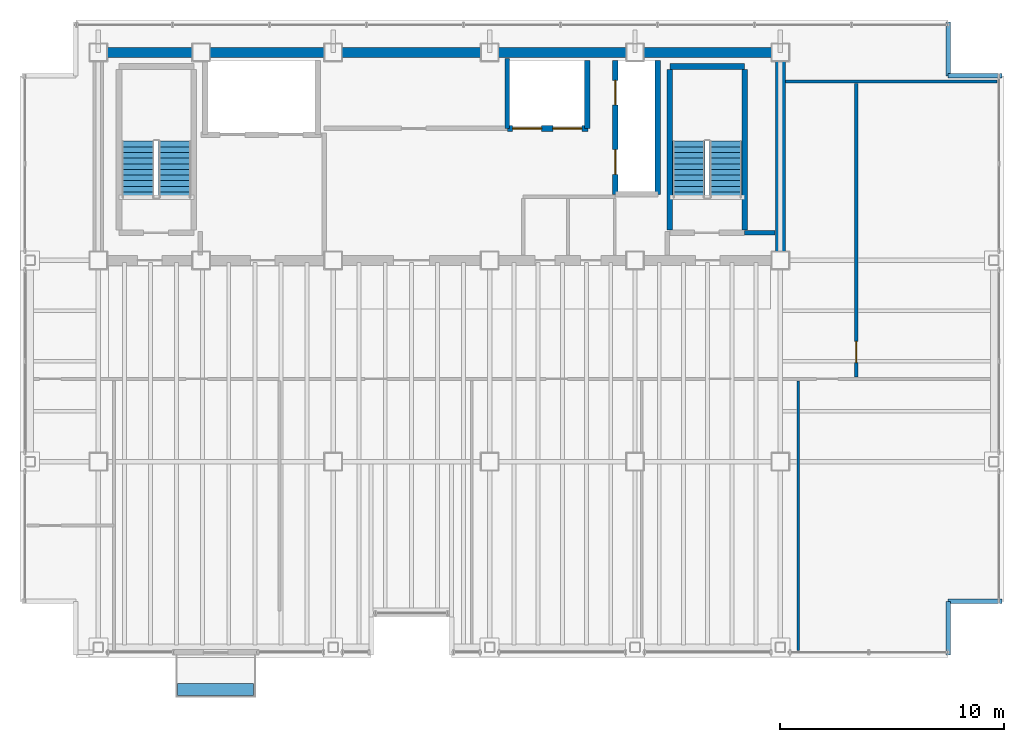
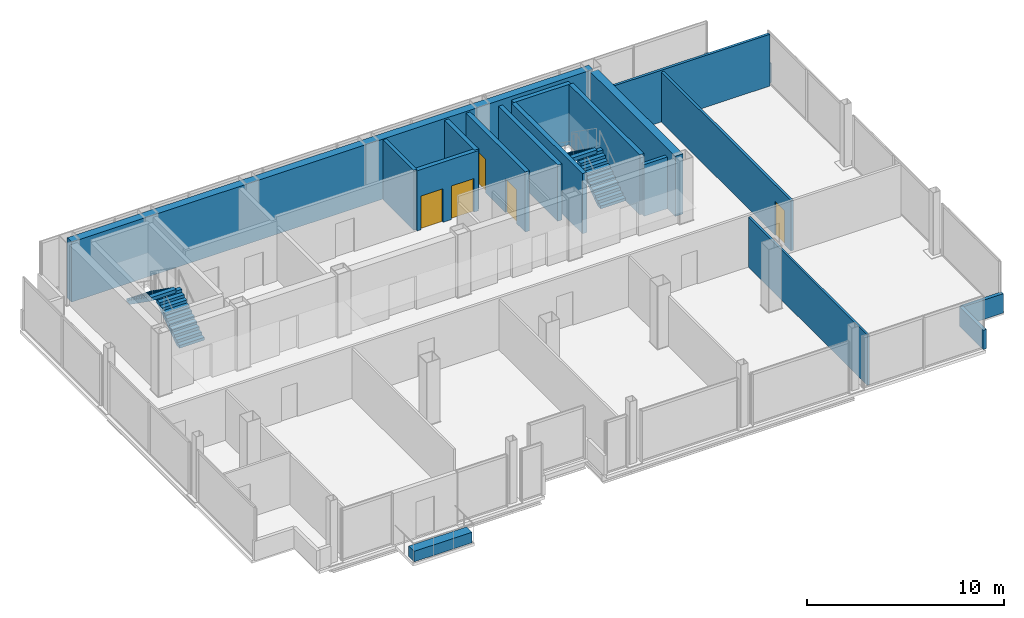
# One storey, part 14 of 15: 18 walls, 5 doors, 4 stair flights, 1 discrete accessory, 5 openings, 2 elements without a shape of their own.
"""IFC4 building model written with IfcOpenShell, lengths in metres."""

import ifcopenshell
import ifcopenshell.guid

model = None  # the IFC model being written
_history = None  # IfcOwnerHistory: only IFC2X3 demands one
_inside = {}  # id of a spatial element -> (the spatial element, [elements in it])
_under = {}  # id of a project, library or spatial element -> (it, [spatial elements below it])
_declared = {}  # id of a project -> (the project, [libraries it declares])
_typed = {}  # id of a type object -> (the type object, [elements of that type])
_made_of = {}  # id of a material, layer set ... -> (it, [elements and type objects made of it])


def new_model(schema):
    """Start an empty IFC model of exactly this schema.

    Asked for "IFC4X3", IfcOpenShell would pick the latest addendum, in which some entities
    have other attributes; the version numbers below select the first issue.
    IFC2X3 requires an IfcOwnerHistory on every rooted entity: one is made here for all.
    """
    global model, _history
    if schema == "IFC4X3":
        model = ifcopenshell.file(schema_version=(4, 3, 0, 0))
    else:
        model = ifcopenshell.file(schema=schema)
    _inside.clear()
    _under.clear()
    _declared.clear()
    _typed.clear()
    _made_of.clear()
    _history = None
    if model.schema == "IFC2X3":
        org = make("IfcOrganization", Name="unknown")
        user = make(
            "IfcPersonAndOrganization",
            ThePerson=make("IfcPerson", FamilyName="unknown"),
            TheOrganization=org,
        )
        app = make(
            "IfcApplication",
            ApplicationDeveloper=org,
            Version="unknown",
            ApplicationFullName="unknown",
            ApplicationIdentifier="unknown",
        )
        _history = make(
            "IfcOwnerHistory",
            OwningUser=user,
            OwningApplication=app,
            ChangeAction="ADDED",
            CreationDate=0,
        )
    return model


def make(cls, **values):
    """One entity of the class cls with the attributes given. An attribute that is None is left unset."""
    return model.create_entity(
        cls, **{name: value for name, value in values.items() if value is not None}
    )


def rooted(cls, **values):
    """An entity with a GlobalId (a new one), such as an element, a storey or a relation."""
    return make(cls, GlobalId=ifcopenshell.guid.new(), OwnerHistory=_history, **values)


def si_unit(unit_type, name, prefix=None):
    """IfcSIUnit, for example si_unit("LENGTHUNIT", "METRE", prefix="MILLI")."""
    return make("IfcSIUnit", UnitType=unit_type, Prefix=prefix, Name=name)


def assignment(units):
    """IfcUnitAssignment: the units of a project."""
    return None if units is None else make("IfcUnitAssignment", Units=units)


def point(xyz):
    """IfcCartesianPoint."""
    return None if xyz is None else make("IfcCartesianPoint", Coordinates=xyz)


def direction(xyz):
    """IfcDirection."""
    return None if xyz is None else make("IfcDirection", DirectionRatios=xyz)


def frame(location, z_axis=None, x_axis=None):
    """IfcAxis2Placement3D, a coordinate frame: its origin and axes. An axis left out is left unset."""
    return make(
        "IfcAxis2Placement3D",
        Location=point(location),
        Axis=direction(z_axis),
        RefDirection=direction(x_axis),
    )


def frame_2d(location, x_axis=None):
    """IfcAxis2Placement2D, a coordinate frame in the plane: its origin and x axis."""
    return make(
        "IfcAxis2Placement2D", Location=point(location), RefDirection=direction(x_axis)
    )


def origin():
    """The frame at (0, 0, 0) with its axes left unset."""
    return frame((0.0, 0.0, 0.0))


def origin_2d():
    """The frame at (0, 0) in the plane with its x axis left unset."""
    return frame_2d((0.0, 0.0))


def place(relative_to, where):
    """IfcLocalPlacement: puts the frame where relative to a parent placement (None: the world)."""
    return make(
        "IfcLocalPlacement", PlacementRelTo=relative_to, RelativePlacement=where
    )


def context(
    kind, dimensions, precision=None, world=None, true_north=None, identifier=None
):
    """IfcGeometricRepresentationContext, for example the 3D "Model" context."""
    return make(
        "IfcGeometricRepresentationContext",
        ContextIdentifier=identifier,
        ContextType=kind,
        CoordinateSpaceDimension=dimensions,
        Precision=precision,
        WorldCoordinateSystem=world,
        TrueNorth=true_north,
    )


def subcontext(parent, identifier, kind, view, scale=None):
    """IfcGeometricRepresentationSubContext, for example "Body" below "Model"."""
    return make(
        "IfcGeometricRepresentationSubContext",
        ContextIdentifier=identifier,
        ContextType=kind,
        ParentContext=parent,
        TargetScale=scale,
        TargetView=view,
    )


def project(units=None, contexts=None):
    """IfcProject with its units and contexts."""
    return rooted(
        "IfcProject",
        Name="project",
        RepresentationContexts=contexts,
        UnitsInContext=assignment(units),
    )


def spatial(cls, under=None, at=None, **own):
    """A site, building, storey or space (cls), placed at a placement, below another one or the project."""
    s = rooted(cls, ObjectPlacement=at, **own)
    if under is not None:
        _under.setdefault(under.id(), (under, []))[1].append(s)
    return s


def polyline(points):
    """IfcPolyline through the points."""
    return make("IfcPolyline", Points=[point(p) for p in points])


def profile(cls, at=None, kind="AREA", **sizes):
    """A parametric profile (cls). Its sizes go by their IFC names, for example OverallWidth=200.0."""
    return make(cls, ProfileType=kind, Position=at, **sizes)


def rectangle(**sizes):
    """IfcRectangleProfileDef."""
    return profile("IfcRectangleProfileDef", **sizes)


def outline(outer, holes=None, kind="AREA"):
    """IfcArbitraryClosedProfileDef: a profile drawn as a closed curve; with holes, ...WithVoids."""
    if holes is None:
        return make("IfcArbitraryClosedProfileDef", ProfileType=kind, OuterCurve=outer)
    return make(
        "IfcArbitraryProfileDefWithVoids",
        ProfileType=kind,
        OuterCurve=outer,
        InnerCurves=holes,
    )


def extrude(swept, where, along, depth):
    """IfcExtrudedAreaSolid: the profile swept, set in the frame where, extruded along a direction by depth."""
    return make(
        "IfcExtrudedAreaSolid",
        SweptArea=swept,
        Position=where,
        ExtrudedDirection=direction(along),
        Depth=depth,
    )


def shape(context_of_items, identifier, shape_type, items):
    """IfcShapeRepresentation: the items that make up one representation, for example the "Body"."""
    return make(
        "IfcShapeRepresentation",
        ContextOfItems=context_of_items,
        RepresentationIdentifier=identifier,
        RepresentationType=shape_type,
        Items=items,
    )


def material(Name=None, Category=None):
    """IfcMaterial."""
    return make("IfcMaterial", Name=Name, Category=Category)


def layer(
    of_material, thickness, ventilated=None, Name=None, Category=None, Priority=None
):
    """IfcMaterialLayer: one layer of a wall or slab, of a material (None: an air gap)."""
    return make(
        "IfcMaterialLayer",
        Material=of_material,
        LayerThickness=thickness,
        IsVentilated=ventilated,
        Name=Name,
        Category=Category,
        Priority=Priority,
    )


def layer_set(layers, Name=None):
    """IfcMaterialLayerSet."""
    return make("IfcMaterialLayerSet", MaterialLayers=layers, LayerSetName=Name)


def made_of(thing, what):
    """Note that an element or type object is made of a material, layer set ...; save() writes the relation."""
    if what is not None:
        _made_of.setdefault(what.id(), (what, []))[1].append(thing)
    return thing


def type_object(cls, material=None, **own):
    """A type object (cls), such as IfcWallType, which elements share."""
    return made_of(rooted(cls, **own), material)


def element(
    cls,
    number,
    at=None,
    inside=None,
    cuts=None,
    type_object=None,
    material=None,
    context=None,
    identifier="Body",
    shape_type=None,
    held_by="IfcProductDefinitionShape",
    body=None,
    shapes=None,
    **own,
):
    """One element of the class cls, such as IfcWall. Its Tag is "e" and its number.

    at: its placement. inside: the storey or other place that contains it. cuts: it is an
    opening in that element (IfcRelVoidsElement). A single representation is given by context,
    identifier, shape_type and body (its items); several are given by shapes. held_by: the class
    of the entity that holds the representations. save() writes the other relations.
    """
    e = rooted(cls, Tag="e%d" % number, ObjectPlacement=at, **own)
    if body is not None:
        shapes = [shape(context, identifier, shape_type, body)]
    if shapes is not None:
        e.Representation = make(held_by, Representations=shapes)
    if inside is not None:
        _inside.setdefault(inside.id(), (inside, []))[1].append(e)
    if cuts is not None:
        rooted(
            "IfcRelVoidsElement", RelatingBuildingElement=cuts, RelatedOpeningElement=e
        )
    if type_object is not None:
        _typed.setdefault(type_object.id(), (type_object, []))[1].append(e)
    return made_of(e, material)


def fill(opening, filler):
    """IfcRelFillsElement: the door or window that sits in an opening."""
    return rooted(
        "IfcRelFillsElement",
        RelatingOpeningElement=opening,
        RelatedBuildingElement=filler,
    )


def aggregate(whole, parts):
    """IfcRelAggregates: a whole, such as a stair, and the parts it consists of."""
    return rooted("IfcRelAggregates", RelatingObject=whole, RelatedObjects=parts)


def save(model, path):
    """Write the relations noted so far, then the file.

    IfcRelAggregates (storeys below a building ...), IfcRelContainedInSpatialStructure (elements
    in a storey), IfcRelDefinesByType, IfcRelAssociatesMaterial and IfcRelDeclares: one each for
    every whole, place, type object, material and project.
    """
    for whole, parts in _under.values():
        aggregate(whole, parts)
    for where, things in _inside.values():
        rooted(
            "IfcRelContainedInSpatialStructure",
            RelatedElements=things,
            RelatingStructure=where,
        )
    for kind, things in _typed.values():
        rooted("IfcRelDefinesByType", RelatedObjects=things, RelatingType=kind)
    for what, things in _made_of.values():
        rooted("IfcRelAssociatesMaterial", RelatedObjects=things, RelatingMaterial=what)
    for by, libraries in _declared.values():
        rooted("IfcRelDeclares", RelatingContext=by, RelatedDefinitions=libraries)
    model.write(path)


model = new_model("IFC4")

# Units and contexts
model_context = context("Model", 3, precision=1e-05, world=origin(), true_north=direction((0.0, 1.0)))
body_context = subcontext(model_context, "Body", "Model", "MODEL_VIEW")
ifc_project = project(units=[si_unit("LENGTHUNIT", "METRE"), si_unit("AREAUNIT", "SQUARE_METRE"), si_unit("VOLUMEUNIT", "CUBIC_METRE"), si_unit("PLANEANGLEUNIT", "RADIAN"), si_unit("MASSUNIT", "GRAM", prefix="KILO")], contexts=[model_context])

# Site, building, storey
site_placement = place(None, origin())
site = spatial("IfcSite", under=ifc_project, at=site_placement, CompositionType="ELEMENT")
building_placement = place(site_placement, origin())
building = spatial("IfcBuilding", under=site, at=building_placement, Name="Noeulbin Bourse Tower", CompositionType="ELEMENT")
storey_placement = place(building_placement, frame((0.0, 0.0, 211.10009765625)))
storey = spatial("IfcBuildingStorey", under=building, at=storey_placement, Name="L52", CompositionType="ELEMENT", Elevation=211.10009765625)

# Walls
ifc_material_1 = material(Name="Concrete C50/60", Category="concrete")
ifc_layer_1 = layer(ifc_material_1, 0.449951171875)
ifc_layer_set_1 = layer_set([ifc_layer_1], Name="Concrete C50/60")
wall_type_1 = type_object("IfcWallType", Name="WAL-CORE-450", PredefinedType="SHEAR", material=ifc_layer_set_1)
wall_1_placement = place(storey_placement, frame((13.5, 38.300048828125, 0.0), z_axis=(0.0, 0.0, 1.0), x_axis=(1.0, 0.0, 0.0)))
element("IfcWall", 1, at=wall_1_placement, inside=storey, type_object=wall_type_1, Name="Rear Core North Shear Wall L52", PredefinedType="SHEAR", context=body_context, shape_type="SweptSolid", body=[
    extrude(rectangle(XDim=30.5, YDim=0.449951171875, at=frame_2d((15.25, 0.0))), origin(), (0.0, 0.0, 1.0), 3.719970703125),
])
wall_2_placement = place(storey_placement, frame((44.0, 29.35009765625, 0.0), z_axis=(0.0, 0.0, 1.0), x_axis=(0.0, 1.0, 0.0)))
element("IfcWall", 2, at=wall_2_placement, inside=storey, type_object=wall_type_1, Name="Rear Core East Shear Wall L52", PredefinedType="SHEAR", context=body_context, shape_type="SweptSolid", body=[
    extrude(rectangle(XDim=8.599853515625, YDim=0.449951171875, at=frame_2d((4.2998046875, 0.0))), origin(), (0.0, 0.0, 1.0), 3.719970703125),
])
ifc_material_2 = material(Name="Concrete C40/50", Category="concrete")
ifc_layer_2 = layer(ifc_material_2, 0.199951171875)
ifc_layer_set_2 = layer_set([ifc_layer_2], Name="Concrete C40/50")
wall_type_2 = type_object("IfcWallType", Name="WAL-FIRE-200", PredefinedType="STANDARD", material=ifc_layer_set_2)
wall_3_placement = place(storey_placement, frame((42.39990234375, 30.239990234375, 0.0), z_axis=(0.0, 0.0, 1.0), x_axis=(1.0, 0.0, 0.0)))
element("IfcWall", 3, at=wall_3_placement, inside=storey, type_object=wall_type_2, Name="Interior Partition Wall L52-01", PredefinedType="STANDARD", context=body_context, shape_type="SweptSolid", body=[
    extrude(rectangle(XDim=1.364990234375, YDim=0.199951171875, at=frame_2d((0.6826171875, 0.0))), origin(), (0.0, 0.0, 1.0), 3.199951171875),
])
ifc_layer_3 = layer(ifc_material_2, 0.199951171875)
ifc_layer_set_3 = layer_set([ifc_layer_3], Name="Concrete C40/50")
wall_type_3 = type_object("IfcWallType", Name="WAL-PAR-200", PredefinedType="PARAPET", material=ifc_layer_set_3)
for number, where, z_axis, x_axis, name in (
    (4, (51.5, 11.35009765625, 0.0), (0.0, 0.0, 1.0), (0.0, 1.0, 0.0), "Corner Notch Parapet L52-SE1"),
    (5, (51.5, 13.75, 0.0), (0.0, 0.0, 1.0), (1.0, 0.0, 0.0), "Corner Notch Parapet L52-SE2"),
    (6, (51.5, 39.64990234375, 0.0), (0.0, 0.0, 1.0), (0.0, -1.0, 0.0), "Corner Notch Parapet L52-NE1"),
    (7, (51.5, 37.25, 0.0), (0.0, 0.0, 1.0), (1.0, 0.0, 0.0), "Corner Notch Parapet L52-NE2"),
):
    element("IfcWall", number, at=place(storey_placement, frame(where, z_axis=z_axis, x_axis=x_axis)), inside=storey, type_object=wall_type_3, Name=name, PredefinedType="PARAPET", context=body_context, shape_type="SweptSolid", body=[
        extrude(rectangle(XDim=2.39990234375, YDim=0.199951171875, at=frame_2d((1.199951171875, 0.0))), origin(), (0.0, 0.0, 1.0), 1.199951171875),
    ])
ifc_material_3 = material(Name="Steel Stud Gypsum Partition", Category="steel")
ifc_layer_4 = layer(ifc_material_3, 0.1201171875)
ifc_layer_set_4 = layer_set([ifc_layer_4], Name="Steel Stud Gypsum Partition")
wall_type_4 = type_object("IfcWallType", Name="WAL-PRT-120", PredefinedType="PARTITIONING", material=ifc_layer_set_4)
wall_4_placement = place(storey_placement, frame((44.800048828125, 11.56005859375, 0.0), z_axis=(0.0, 0.0, 1.0), x_axis=(0.0, 1.0, 0.0)))
element("IfcWall", 8, at=wall_4_placement, inside=storey, type_object=wall_type_4, Name="Interior Partition Wall L52-18", PredefinedType="PARTITIONING", context=body_context, shape_type="SweptSolid", body=[
    extrude(rectangle(XDim=12.054931640625, YDim=0.1201171875, at=frame_2d((6.02734375, 0.0))), origin(), (0.0, 0.0, 1.0), 3.099853515625),
])
ifc_material_4 = material(Name="Steel Stud Acoustic Gypsum Board", Category="steel")
ifc_layer_5 = layer(ifc_material_4, 0.14990234375)
ifc_layer_set_5 = layer_set([ifc_layer_5], Name="Steel Stud Acoustic Gypsum Board")
wall_type_5 = type_object("IfcWallType", Name="WAL-PRT-150", PredefinedType="PARTITIONING", material=ifc_layer_set_5)
wall_5_placement = place(storey_placement, frame((44.235107421875, 37.0, 0.0), z_axis=(0.0, 0.0, 1.0), x_axis=(1.0, 0.0, 0.0)))
element("IfcWall", 9, at=wall_5_placement, inside=storey, type_object=wall_type_5, Name="Interior Partition Wall L52-05", PredefinedType="PARTITIONING", context=body_context, shape_type="SweptSolid", body=[
    extrude(rectangle(XDim=9.454833984375, YDim=0.14990234375, at=frame_2d((4.7275390625, 0.0))), origin(), (0.0, 0.0, 1.0), 3.199951171875),
])

# Wall, opening, door
wall_6_placement = place(storey_placement, frame((47.39990234375, 23.784912109375, 0.0), z_axis=(0.0, 0.0, 1.0), x_axis=(0.0, 1.0, 0.0)))
wall_6 = element("IfcWall", 10, at=wall_6_placement, inside=storey, type_object=wall_type_5, Name="Interior Partition Wall L52-13", PredefinedType="PARTITIONING", context=body_context, shape_type="SweptSolid", body=[
    extrude(rectangle(XDim=13.130126953125, YDim=0.14990234375, at=frame_2d((6.56494140625, 0.0))), origin(), (0.0, 0.0, 1.0), 3.099853515625),
])
opening_1_placement = place(wall_6_placement, frame((0.639892578125, 0.0, 0.0)))
opening_1 = element("IfcOpeningElement", 11, at=opening_1_placement, cuts=wall_6, Name="Opening ID-09", PredefinedType="OPENING", context=body_context, shape_type="SweptSolid", body=[
    extrude(rectangle(XDim=0.949951171875, YDim=2.080078125, at=frame_2d((0.47509765625, 1.0400390625))), frame((0.0, 0.0849609375, 0.0), z_axis=(0.0, -1.0, 0.0), x_axis=(1.0, 0.0, 0.0)), (0.0, 0.0, 1.0), 0.169921875),
])
ifc_material_5 = material(Name="Acoustic Solid-Core Timber", Category="wood")
door_type_1 = type_object("IfcDoorType", Name="DR-SINGLE-950", OperationType="SINGLE_SWING_LEFT", PredefinedType="DOOR", material=ifc_material_5)
door_1_placement = place(opening_1_placement, origin())
door_1 = element("IfcDoor", 12, at=door_1_placement, inside=storey, type_object=door_type_1, Name="Interior Door L52-15", OperationType="SINGLE_SWING_LEFT", OverallHeight=2.080078125, OverallWidth=0.949951171875, PredefinedType="DOOR", context=body_context, shape_type="SweptSolid", body=[
    extrude(rectangle(XDim=0.949951171875, YDim=2.080078125, at=frame_2d((0.47509765625, 1.0400390625))), frame((0.0, 0.02490234375, 0.0), z_axis=(0.0, -1.0, 0.0), x_axis=(1.0, 0.0, 0.0)), (0.0, 0.0, 1.0), 0.050048828125),
])
fill(opening_1, door_1)

# Walls
ifc_layer_6 = layer(ifc_material_2, 0.25)
ifc_layer_set_6 = layer_set([ifc_layer_6], Name="Concrete C40/50")
wall_type_6 = type_object("IfcWallType", Name="WAL-SHFT-250", PredefinedType="STANDARD", material=ifc_layer_set_6)
wall_7_placement = place(storey_placement, frame((39.06005859375, 37.6689453125, 0.0), z_axis=(0.0, 0.0, 1.0), x_axis=(1.0, 0.0, 0.0)))
element("IfcWall", 13, at=wall_7_placement, inside=storey, type_object=wall_type_6, Name="Stair ST-2 North Shaft Wall L52", PredefinedType="STANDARD", context=body_context, shape_type="SweptSolid", body=[
    extrude(rectangle(XDim=3.33984375, YDim=0.25, at=frame_2d((1.669921875, 0.0))), origin(), (0.0, 0.0, 1.0), 3.719970703125),
])
for number, where, z_axis, x_axis, name in (
    (14, (39.054931640625, 30.360107421875, 0.0), (0.0, 0.0, 1.0), (0.0, 1.0, 0.0), "Stair ST-2 West Shaft Wall L52"),
    (15, (42.405029296875, 30.360107421875, 0.0), (0.0, 0.0, 1.0), (0.0, 1.0, 0.0), "Stair ST-2 East Shaft Wall L52"),
):
    element("IfcWall", number, at=place(storey_placement, frame(where, z_axis=z_axis, x_axis=x_axis)), inside=storey, type_object=wall_type_6, Name=name, PredefinedType="STANDARD", context=body_context, shape_type="SweptSolid", body=[
        extrude(rectangle(XDim=7.183837890625, YDim=0.25, at=frame_2d((3.591796875, 0.0))), origin(), (0.0, 0.0, 1.0), 3.719970703125),
    ])

# Wall, openings, doors
wall_8_placement = place(storey_placement, frame((36.6201171875, 31.949951171875, 0.0), z_axis=(0.0, 0.0, 1.0), x_axis=(0.0, 1.0, 0.0)))
wall_8 = element("IfcWall", 16, at=wall_8_placement, inside=storey, type_object=wall_type_6, Name="Service Lift Shaft Wall L52", PredefinedType="STANDARD", context=body_context, shape_type="SweptSolid", body=[
    extrude(rectangle(XDim=6.0, YDim=0.25, at=frame_2d((3.0, 0.0))), origin(), (0.0, 0.0, 1.0), 3.719970703125),
])
opening_2_placement = place(wall_8_placement, frame((0.89990234375, 0.0, 0.0)))
opening_2 = element("IfcOpeningElement", 17, at=opening_2_placement, cuts=wall_8, Name="Opening LD-11", PredefinedType="OPENING", context=body_context, shape_type="SweptSolid", body=[
    extrude(rectangle(XDim=1.10009765625, YDim=2.080078125, at=frame_2d((0.550048828125, 1.0400390625))), frame((0.0, 0.135009765625, 0.0), z_axis=(0.0, -1.0, 0.0), x_axis=(1.0, 0.0, 0.0)), (0.0, 0.0, 1.0), 0.27001953125),
])
opening_3_placement = place(wall_8_placement, frame((4.0, 0.0, 0.0)))
opening_3 = element("IfcOpeningElement", 18, at=opening_3_placement, cuts=wall_8, Name="Opening LD-11", PredefinedType="OPENING", context=body_context, shape_type="SweptSolid", body=[
    extrude(rectangle(XDim=1.10009765625, YDim=2.080078125, at=frame_2d((0.550048828125, 1.0400390625))), frame((0.0, 0.135009765625, 0.0), z_axis=(0.0, -1.0, 0.0), x_axis=(1.0, 0.0, 0.0)), (0.0, 0.0, 1.0), 0.27001953125),
])
ifc_material_6 = material(Name="Brushed Stainless Steel 316", Category="steel")
door_type_2 = type_object("IfcDoorType", Name="DR-LIFT-1100", OperationType="SLIDING_TO_LEFT", PredefinedType="DOOR", material=ifc_material_6)
door_2_placement = place(opening_2_placement, origin())
door_2 = element("IfcDoor", 19, at=door_2_placement, inside=storey, type_object=door_type_2, Name="Lift Landing Door LD-EL-01-L52", OperationType="SLIDING_TO_LEFT", OverallHeight=2.080078125, OverallWidth=1.10009765625, PredefinedType="DOOR", context=body_context, shape_type="SweptSolid", body=[
    extrude(rectangle(XDim=1.10009765625, YDim=2.080078125, at=frame_2d((0.550048828125, 1.0400390625))), frame((0.0, 0.02490234375, 0.0), z_axis=(0.0, -1.0, 0.0), x_axis=(1.0, 0.0, 0.0)), (0.0, 0.0, 1.0), 0.050048828125),
])
fill(opening_2, door_2)
door_3_placement = place(opening_3_placement, origin())
door_3 = element("IfcDoor", 20, at=door_3_placement, inside=storey, type_object=door_type_2, Name="Lift Landing Door LD-SV-01-L52", OperationType="SLIDING_TO_LEFT", OverallHeight=2.080078125, OverallWidth=1.10009765625, PredefinedType="DOOR", context=body_context, shape_type="SweptSolid", body=[
    extrude(rectangle(XDim=1.10009765625, YDim=2.080078125, at=frame_2d((0.550048828125, 1.0400390625))), frame((0.0, 0.02490234375, 0.0), z_axis=(0.0, -1.0, 0.0), x_axis=(1.0, 0.0, 0.0)), (0.0, 0.0, 1.0), 0.050048828125),
])
fill(opening_3, door_3)

# Walls
wall_9_placement = place(storey_placement, frame((38.52001953125, 31.949951171875, 0.0), z_axis=(0.0, 0.0, 1.0), x_axis=(0.0, 1.0, 0.0)))
element("IfcWall", 21, at=wall_9_placement, inside=storey, type_object=wall_type_6, Name="Service Lift East Shaft Wall L52", PredefinedType="STANDARD", context=body_context, shape_type="SweptSolid", body=[
    extrude(rectangle(XDim=6.0, YDim=0.25, at=frame_2d((3.0, 0.0))), origin(), (0.0, 0.0, 1.0), 3.47998046875),
])
wall_10_placement = place(storey_placement, frame((35.360107421875, 34.89990234375, 0.0), z_axis=(0.0, 0.0, 1.0), x_axis=(0.0, 1.0, 0.0)))
element("IfcWall", 22, at=wall_10_placement, inside=storey, type_object=wall_type_6, Name="High-Rise Lift East Shaft Wall L52", PredefinedType="STANDARD", context=body_context, shape_type="SweptSolid", body=[
    extrude(rectangle(XDim=3.050048828125, YDim=0.25, at=frame_2d((1.52490234375, 0.0))), origin(), (0.0, 0.0, 1.0), 3.719970703125),
])

# Wall, openings, doors
wall_11_placement = place(storey_placement, frame((31.800048828125, 34.89990234375, 0.0), z_axis=(0.0, 0.0, 1.0), x_axis=(1.0, 0.0, 0.0)))
wall_11 = element("IfcWall", 23, at=wall_11_placement, inside=storey, type_object=wall_type_6, Name="High-Rise Lift Bank Front L52", PredefinedType="STANDARD", context=body_context, shape_type="SweptSolid", body=[
    extrude(rectangle(XDim=3.599853515625, YDim=0.25, at=frame_2d((1.7998046875, 0.0))), origin(), (0.0, 0.0, 1.0), 3.719970703125),
])
opening_4_placement = place(wall_11_placement, frame((0.22998046875, 0.0, 0.0)))
opening_4 = element("IfcOpeningElement", 24, at=opening_4_placement, cuts=wall_11, Name="Opening LD-13", PredefinedType="OPENING", context=body_context, shape_type="SweptSolid", body=[
    extrude(rectangle(XDim=1.300048828125, YDim=2.080078125, at=frame_2d((0.64990234375, 1.0400390625))), frame((0.0, 0.135009765625, 0.0), z_axis=(0.0, -1.0, 0.0), x_axis=(1.0, 0.0, 0.0)), (0.0, 0.0, 1.0), 0.27001953125),
])
opening_5_placement = place(wall_11_placement, frame((2.030029296875, 0.0, 0.0)))
opening_5 = element("IfcOpeningElement", 25, at=opening_5_placement, cuts=wall_11, Name="Opening LD-13", PredefinedType="OPENING", context=body_context, shape_type="SweptSolid", body=[
    extrude(rectangle(XDim=1.300048828125, YDim=2.080078125, at=frame_2d((0.64990234375, 1.0400390625))), frame((0.0, 0.135009765625, 0.0), z_axis=(0.0, -1.0, 0.0), x_axis=(1.0, 0.0, 0.0)), (0.0, 0.0, 1.0), 0.27001953125),
])
door_type_3 = type_object("IfcDoorType", Name="DR-LIFT-1300", OperationType="DOUBLE_DOOR_SLIDING", PredefinedType="DOOR", material=ifc_material_6)
door_4_placement = place(opening_4_placement, origin())
door_4 = element("IfcDoor", 26, at=door_4_placement, inside=storey, type_object=door_type_3, Name="Lift Landing Door LD-PL-H1-L52", OperationType="DOUBLE_DOOR_SLIDING", OverallHeight=2.080078125, OverallWidth=1.300048828125, PredefinedType="DOOR", context=body_context, shape_type="SweptSolid", body=[
    extrude(rectangle(XDim=1.300048828125, YDim=2.080078125, at=frame_2d((0.64990234375, 1.0400390625))), frame((0.0, 0.02490234375, 0.0), z_axis=(0.0, -1.0, 0.0), x_axis=(1.0, 0.0, 0.0)), (0.0, 0.0, 1.0), 0.050048828125),
])
fill(opening_4, door_4)
door_5_placement = place(opening_5_placement, origin())
door_5 = element("IfcDoor", 27, at=door_5_placement, inside=storey, type_object=door_type_3, Name="Lift Landing Door LD-PL-H2-L52", OperationType="DOUBLE_DOOR_SLIDING", OverallHeight=2.080078125, OverallWidth=1.300048828125, PredefinedType="DOOR", context=body_context, shape_type="SweptSolid", body=[
    extrude(rectangle(XDim=1.300048828125, YDim=2.080078125, at=frame_2d((0.64990234375, 1.0400390625))), frame((0.0, 0.02490234375, 0.0), z_axis=(0.0, -1.0, 0.0), x_axis=(1.0, 0.0, 0.0)), (0.0, 0.0, 1.0), 0.050048828125),
])
fill(opening_5, door_5)

# Wall
wall_12_placement = place(storey_placement, frame((31.780029296875, 34.89990234375, 0.0), z_axis=(0.0, 0.0, 1.0), x_axis=(0.0, 1.0, 0.0)))
element("IfcWall", 28, at=wall_12_placement, inside=storey, type_object=wall_type_6, Name="Hoistway Side Shaft Wall L52-PLHW", PredefinedType="STANDARD", context=body_context, shape_type="SweptSolid", body=[
    extrude(rectangle(XDim=3.1201171875, YDim=0.199951171875, at=frame_2d((1.56005859375, 0.0))), origin(), (0.0, 0.0, 1.0), 3.719970703125),
])

# Stair, stair flights
stair_type = type_object("IfcStairType", Name="STR-CORE-1560", PredefinedType="HALF_TURN_STAIR", material=ifc_material_2)
stair_1_placement = place(storey_placement, origin())
stair_1 = element("IfcStair", 29, at=stair_1_placement, inside=storey, type_object=stair_type, Name="L52 ST-1", PredefinedType="HALF_TURN_STAIR")
stair_flight_type = type_object("IfcStairFlightType", Name="SFL-CORE-1560", PredefinedType="STRAIGHT", material=ifc_material_2)
stair_flight_1_placement = place(storey_placement, frame((16.925048828125, 31.81005859375, 0.0), z_axis=(0.0, 0.0, 1.0), x_axis=(0.0, 1.0, 0.0)))
stair_flight_1 = element("IfcStairFlight", 30, at=stair_flight_1_placement, type_object=stair_flight_type, Name="ST-1 flight 1", NumberOfRisers=11, NumberOfTreads=10, PredefinedType="STRAIGHT", RiserHeight=0.177272727, TreadLength=0.252, context=body_context, shape_type="SweptSolid", body=[
    extrude(outline(polyline([(0.0, 0.0), (0.0, 0.17724609375), (0.251953125, 0.17724609375), (0.251953125, 0.3544921875), (0.50390625, 0.3544921875), (0.50390625, 0.53173828125), (0.756103515625, 0.53173828125), (0.756103515625, 0.708984375), (1.008056640625, 0.708984375), (1.008056640625, 0.886474609375), (1.260009765625, 0.886474609375), (1.260009765625, 1.063720703125), (1.511962890625, 1.063720703125), (1.511962890625, 1.240966796875), (1.763916015625, 1.240966796875), (1.763916015625, 1.418212890625), (2.01611328125, 1.418212890625), (2.01611328125, 1.595458984375), (2.26806640625, 1.595458984375), (2.26806640625, 1.772705078125), (2.52001953125, 1.772705078125), (2.52001953125, 1.949951171875), (2.52001953125, 1.552734375), (0.312744140625, 0.0), (0.0, 0.0)])), frame((0.0, 0.72509765625, 0.0), z_axis=(0.0, -1.0, 0.0), x_axis=(1.0, 0.0, 0.0)), (0.0, 0.0, 1.0), 1.449951171875),
])
stair_flight_2_placement = place(storey_placement, frame((15.27490234375, 34.330078125, 1.949951171875), z_axis=(0.0, 0.0, 1.0), x_axis=(0.0, -1.0, 0.0)))
stair_flight_2 = element("IfcStairFlight", 31, at=stair_flight_2_placement, type_object=stair_flight_type, Name="ST-1 flight 2", NumberOfRisers=11, NumberOfTreads=10, PredefinedType="STRAIGHT", RiserHeight=0.177272727, TreadLength=0.252, context=body_context, shape_type="SweptSolid", body=[
    extrude(outline(polyline([(0.0, 0.0), (0.0, 0.17724609375), (0.251953125, 0.17724609375), (0.251953125, 0.3544921875), (0.50390625, 0.3544921875), (0.50390625, 0.53173828125), (0.756103515625, 0.53173828125), (0.756103515625, 0.708984375), (1.008056640625, 0.708984375), (1.008056640625, 0.886474609375), (1.260009765625, 0.886474609375), (1.260009765625, 1.063720703125), (1.511962890625, 1.063720703125), (1.511962890625, 1.240966796875), (1.763916015625, 1.240966796875), (1.763916015625, 1.418212890625), (2.01611328125, 1.418212890625), (2.01611328125, 1.595458984375), (2.26806640625, 1.595458984375), (2.26806640625, 1.772705078125), (2.52001953125, 1.772705078125), (2.52001953125, 1.949951171875), (2.52001953125, 1.552734375), (0.312744140625, 0.0), (0.0, 0.0)])), frame((0.0, 0.72509765625, 0.0), z_axis=(0.0, -1.0, 0.0), x_axis=(1.0, 0.0, 0.0)), (0.0, 0.0, 1.0), 1.449951171875),
])
aggregate(stair_1, [stair_flight_1, stair_flight_2])

stair_2_placement = place(storey_placement, origin())
stair_2 = element("IfcStair", 32, at=stair_2_placement, inside=storey, type_object=stair_type, Name="L52 ST-2", PredefinedType="HALF_TURN_STAIR")
stair_flight_3_placement = place(storey_placement, frame((41.554931640625, 31.81005859375, 0.0), z_axis=(0.0, 0.0, 1.0), x_axis=(0.0, 1.0, 0.0)))
stair_flight_3 = element("IfcStairFlight", 33, at=stair_flight_3_placement, type_object=stair_flight_type, Name="ST-2 flight 1", NumberOfRisers=11, NumberOfTreads=10, PredefinedType="STRAIGHT", RiserHeight=0.177272727, TreadLength=0.252, context=body_context, shape_type="SweptSolid", body=[
    extrude(outline(polyline([(0.0, 0.0), (0.0, 0.17724609375), (0.251953125, 0.17724609375), (0.251953125, 0.3544921875), (0.50390625, 0.3544921875), (0.50390625, 0.53173828125), (0.756103515625, 0.53173828125), (0.756103515625, 0.708984375), (1.008056640625, 0.708984375), (1.008056640625, 0.886474609375), (1.260009765625, 0.886474609375), (1.260009765625, 1.063720703125), (1.511962890625, 1.063720703125), (1.511962890625, 1.240966796875), (1.763916015625, 1.240966796875), (1.763916015625, 1.418212890625), (2.01611328125, 1.418212890625), (2.01611328125, 1.595458984375), (2.26806640625, 1.595458984375), (2.26806640625, 1.772705078125), (2.52001953125, 1.772705078125), (2.52001953125, 1.949951171875), (2.52001953125, 1.552734375), (0.312744140625, 0.0), (0.0, 0.0)])), frame((0.0, 0.72509765625, 0.0), z_axis=(0.0, -1.0, 0.0), x_axis=(1.0, 0.0, 0.0)), (0.0, 0.0, 1.0), 1.449951171875),
])
stair_flight_4_placement = place(storey_placement, frame((39.905029296875, 34.330078125, 1.949951171875), z_axis=(0.0, 0.0, 1.0), x_axis=(0.0, -1.0, 0.0)))
stair_flight_4 = element("IfcStairFlight", 34, at=stair_flight_4_placement, type_object=stair_flight_type, Name="ST-2 flight 2", NumberOfRisers=11, NumberOfTreads=10, PredefinedType="STRAIGHT", RiserHeight=0.177272727, TreadLength=0.252, context=body_context, shape_type="SweptSolid", body=[
    extrude(outline(polyline([(0.0, 0.0), (0.0, 0.17724609375), (0.251953125, 0.17724609375), (0.251953125, 0.3544921875), (0.50390625, 0.3544921875), (0.50390625, 0.53173828125), (0.756103515625, 0.53173828125), (0.756103515625, 0.708984375), (1.008056640625, 0.708984375), (1.008056640625, 0.886474609375), (1.260009765625, 0.886474609375), (1.260009765625, 1.063720703125), (1.511962890625, 1.063720703125), (1.511962890625, 1.240966796875), (1.763916015625, 1.240966796875), (1.763916015625, 1.418212890625), (2.01611328125, 1.418212890625), (2.01611328125, 1.595458984375), (2.26806640625, 1.595458984375), (2.26806640625, 1.772705078125), (2.52001953125, 1.772705078125), (2.52001953125, 1.949951171875), (2.52001953125, 1.552734375), (0.312744140625, 0.0), (0.0, 0.0)])), frame((0.0, 0.72509765625, 0.0), z_axis=(0.0, -1.0, 0.0), x_axis=(1.0, 0.0, 0.0)), (0.0, 0.0, 1.0), 1.449951171875),
])
aggregate(stair_2, [stair_flight_3, stair_flight_4])

# Discrete accessory
ifc_material_7 = material(Name="Architectural GFRC Concrete C40/50", Category="concrete")
ifc_layer_7 = layer(ifc_material_7, 0.64990234375)
ifc_layer_set_7 = layer_set([ifc_layer_7], Name="Architectural GFRC Concrete C40/50")
discrete_accessory_type = type_object("IfcDiscreteAccessoryType", Name="PLANTER-BOX-3600", PredefinedType="USERDEFINED", material=ifc_layer_set_7)
discrete_accessory_placement = place(storey_placement, frame((18.75, 9.81005859375, 0.0), z_axis=(0.0, 0.0, 1.0), x_axis=(1.0, 0.0, 0.0)))
element("IfcDiscreteAccessory", 35, at=discrete_accessory_placement, inside=storey, type_object=discrete_accessory_type, Name="Integrated Balcony Tree Planter Box L52", ObjectType="PLANTER", PredefinedType="USERDEFINED", context=body_context, shape_type="SweptSolid", body=[
    extrude(rectangle(XDim=3.39990234375, YDim=0.550048828125, at=origin_2d()), origin(), (0.0, 0.0, 1.0), 0.64990234375),
])

save(model, "model.ifc")
